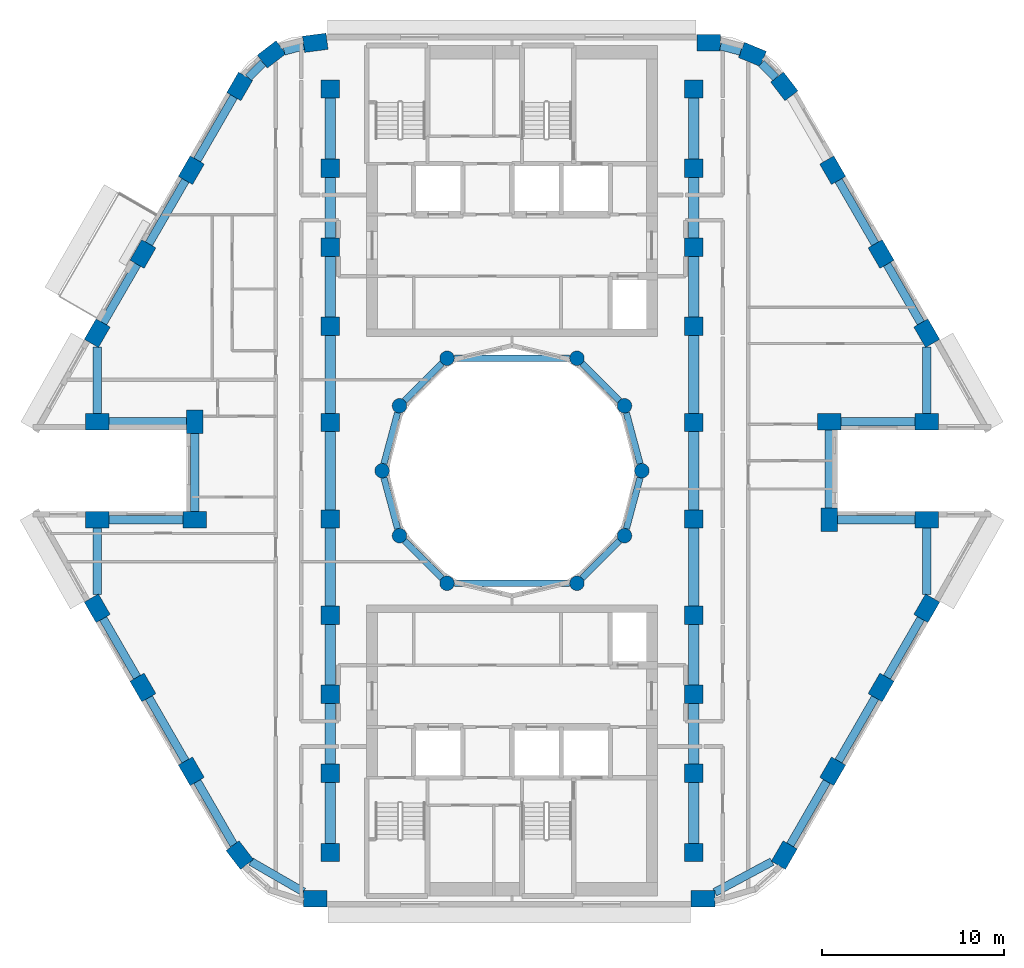
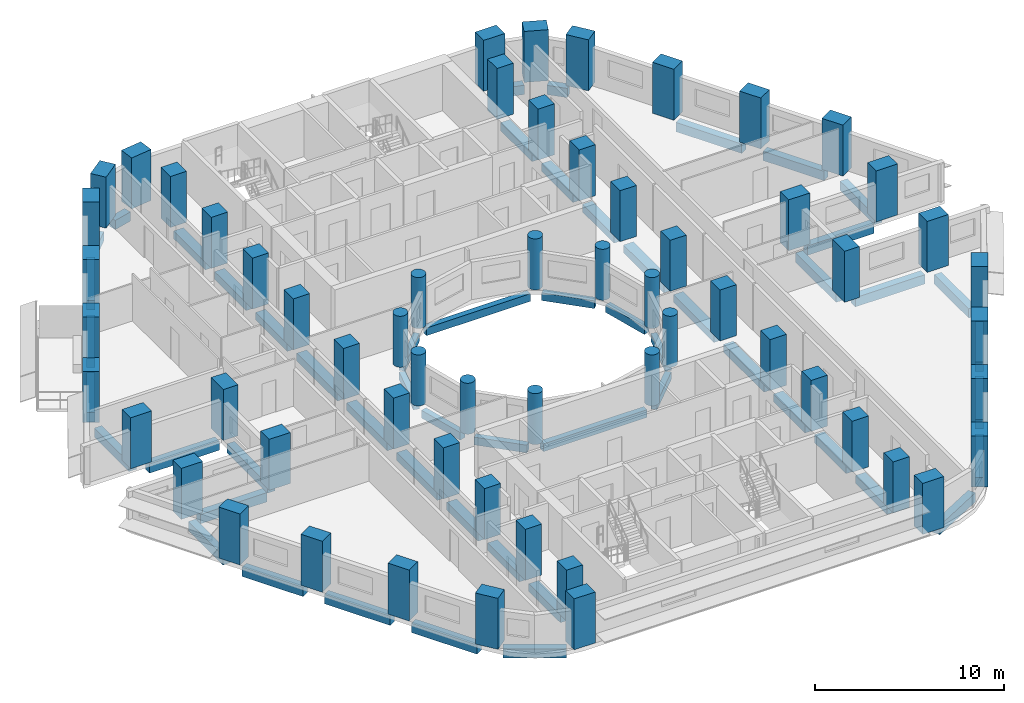
# One storey, part 1 of 13: 60 columns, 55 beams.
"""IFC4 building model written with IfcOpenShell, lengths in metres."""

import ifcopenshell
import ifcopenshell.guid

model = None  # the IFC model being written
_history = None  # IfcOwnerHistory: only IFC2X3 demands one
_inside = {}  # id of a spatial element -> (the spatial element, [elements in it])
_under = {}  # id of a project, library or spatial element -> (it, [spatial elements below it])
_declared = {}  # id of a project -> (the project, [libraries it declares])
_typed = {}  # id of a type object -> (the type object, [elements of that type])
_made_of = {}  # id of a material, layer set ... -> (it, [elements and type objects made of it])


def new_model(schema):
    """Start an empty IFC model of exactly this schema.

    Asked for "IFC4X3", IfcOpenShell would pick the latest addendum, in which some entities
    have other attributes; the version numbers below select the first issue.
    IFC2X3 requires an IfcOwnerHistory on every rooted entity: one is made here for all.
    """
    global model, _history
    if schema == "IFC4X3":
        model = ifcopenshell.file(schema_version=(4, 3, 0, 0))
    else:
        model = ifcopenshell.file(schema=schema)
    _inside.clear()
    _under.clear()
    _declared.clear()
    _typed.clear()
    _made_of.clear()
    _history = None
    if model.schema == "IFC2X3":
        org = make("IfcOrganization", Name="unknown")
        user = make(
            "IfcPersonAndOrganization",
            ThePerson=make("IfcPerson", FamilyName="unknown"),
            TheOrganization=org,
        )
        app = make(
            "IfcApplication",
            ApplicationDeveloper=org,
            Version="unknown",
            ApplicationFullName="unknown",
            ApplicationIdentifier="unknown",
        )
        _history = make(
            "IfcOwnerHistory",
            OwningUser=user,
            OwningApplication=app,
            ChangeAction="ADDED",
            CreationDate=0,
        )
    return model


def make(cls, **values):
    """One entity of the class cls with the attributes given. An attribute that is None is left unset."""
    return model.create_entity(
        cls, **{name: value for name, value in values.items() if value is not None}
    )


def rooted(cls, **values):
    """An entity with a GlobalId (a new one), such as an element, a storey or a relation."""
    return make(cls, GlobalId=ifcopenshell.guid.new(), OwnerHistory=_history, **values)


def si_unit(unit_type, name, prefix=None):
    """IfcSIUnit, for example si_unit("LENGTHUNIT", "METRE", prefix="MILLI")."""
    return make("IfcSIUnit", UnitType=unit_type, Prefix=prefix, Name=name)


def assignment(units):
    """IfcUnitAssignment: the units of a project."""
    return None if units is None else make("IfcUnitAssignment", Units=units)


def point(xyz):
    """IfcCartesianPoint."""
    return None if xyz is None else make("IfcCartesianPoint", Coordinates=xyz)


def direction(xyz):
    """IfcDirection."""
    return None if xyz is None else make("IfcDirection", DirectionRatios=xyz)


def frame(location, z_axis=None, x_axis=None):
    """IfcAxis2Placement3D, a coordinate frame: its origin and axes. An axis left out is left unset."""
    return make(
        "IfcAxis2Placement3D",
        Location=point(location),
        Axis=direction(z_axis),
        RefDirection=direction(x_axis),
    )


def frame_2d(location, x_axis=None):
    """IfcAxis2Placement2D, a coordinate frame in the plane: its origin and x axis."""
    return make(
        "IfcAxis2Placement2D", Location=point(location), RefDirection=direction(x_axis)
    )


def origin():
    """The frame at (0, 0, 0) with its axes left unset."""
    return frame((0.0, 0.0, 0.0))


def origin_2d():
    """The frame at (0, 0) in the plane with its x axis left unset."""
    return frame_2d((0.0, 0.0))


def place(relative_to, where):
    """IfcLocalPlacement: puts the frame where relative to a parent placement (None: the world)."""
    return make(
        "IfcLocalPlacement", PlacementRelTo=relative_to, RelativePlacement=where
    )


def context(
    kind, dimensions, precision=None, world=None, true_north=None, identifier=None
):
    """IfcGeometricRepresentationContext, for example the 3D "Model" context."""
    return make(
        "IfcGeometricRepresentationContext",
        ContextIdentifier=identifier,
        ContextType=kind,
        CoordinateSpaceDimension=dimensions,
        Precision=precision,
        WorldCoordinateSystem=world,
        TrueNorth=true_north,
    )


def subcontext(parent, identifier, kind, view, scale=None):
    """IfcGeometricRepresentationSubContext, for example "Body" below "Model"."""
    return make(
        "IfcGeometricRepresentationSubContext",
        ContextIdentifier=identifier,
        ContextType=kind,
        ParentContext=parent,
        TargetScale=scale,
        TargetView=view,
    )


def project(units=None, contexts=None):
    """IfcProject with its units and contexts."""
    return rooted(
        "IfcProject",
        Name="project",
        RepresentationContexts=contexts,
        UnitsInContext=assignment(units),
    )


def spatial(cls, under=None, at=None, **own):
    """A site, building, storey or space (cls), placed at a placement, below another one or the project."""
    s = rooted(cls, ObjectPlacement=at, **own)
    if under is not None:
        _under.setdefault(under.id(), (under, []))[1].append(s)
    return s


def profile(cls, at=None, kind="AREA", **sizes):
    """A parametric profile (cls). Its sizes go by their IFC names, for example OverallWidth=200.0."""
    return make(cls, ProfileType=kind, Position=at, **sizes)


def rectangle(**sizes):
    """IfcRectangleProfileDef."""
    return profile("IfcRectangleProfileDef", **sizes)


def circle(**sizes):
    """IfcCircleProfileDef."""
    return profile("IfcCircleProfileDef", **sizes)


def extrude(swept, where, along, depth):
    """IfcExtrudedAreaSolid: the profile swept, set in the frame where, extruded along a direction by depth."""
    return make(
        "IfcExtrudedAreaSolid",
        SweptArea=swept,
        Position=where,
        ExtrudedDirection=direction(along),
        Depth=depth,
    )


def shape(context_of_items, identifier, shape_type, items):
    """IfcShapeRepresentation: the items that make up one representation, for example the "Body"."""
    return make(
        "IfcShapeRepresentation",
        ContextOfItems=context_of_items,
        RepresentationIdentifier=identifier,
        RepresentationType=shape_type,
        Items=items,
    )


def material(Name=None, Category=None):
    """IfcMaterial."""
    return make("IfcMaterial", Name=Name, Category=Category)


def material_profile(
    of_material, cross_section, Name=None, Category=None, Priority=None
):
    """IfcMaterialProfile: a cross section and its material."""
    return make(
        "IfcMaterialProfile",
        Name=Name,
        Material=of_material,
        Profile=cross_section,
        Priority=Priority,
        Category=Category,
    )


def profile_set(profiles, Name=None, composite=None):
    """IfcMaterialProfileSet."""
    return make(
        "IfcMaterialProfileSet",
        Name=Name,
        MaterialProfiles=profiles,
        CompositeProfile=composite,
    )


def made_of(thing, what):
    """Note that an element or type object is made of a material, layer set ...; save() writes the relation."""
    if what is not None:
        _made_of.setdefault(what.id(), (what, []))[1].append(thing)
    return thing


def type_object(cls, material=None, **own):
    """A type object (cls), such as IfcWallType, which elements share."""
    return made_of(rooted(cls, **own), material)


def element(
    cls,
    number,
    at=None,
    inside=None,
    cuts=None,
    type_object=None,
    material=None,
    context=None,
    identifier="Body",
    shape_type=None,
    held_by="IfcProductDefinitionShape",
    body=None,
    shapes=None,
    **own,
):
    """One element of the class cls, such as IfcWall. Its Tag is "e" and its number.

    at: its placement. inside: the storey or other place that contains it. cuts: it is an
    opening in that element (IfcRelVoidsElement). A single representation is given by context,
    identifier, shape_type and body (its items); several are given by shapes. held_by: the class
    of the entity that holds the representations. save() writes the other relations.
    """
    e = rooted(cls, Tag="e%d" % number, ObjectPlacement=at, **own)
    if body is not None:
        shapes = [shape(context, identifier, shape_type, body)]
    if shapes is not None:
        e.Representation = make(held_by, Representations=shapes)
    if inside is not None:
        _inside.setdefault(inside.id(), (inside, []))[1].append(e)
    if cuts is not None:
        rooted(
            "IfcRelVoidsElement", RelatingBuildingElement=cuts, RelatedOpeningElement=e
        )
    if type_object is not None:
        _typed.setdefault(type_object.id(), (type_object, []))[1].append(e)
    return made_of(e, material)


def aggregate(whole, parts):
    """IfcRelAggregates: a whole, such as a stair, and the parts it consists of."""
    return rooted("IfcRelAggregates", RelatingObject=whole, RelatedObjects=parts)


def save(model, path):
    """Write the relations noted so far, then the file.

    IfcRelAggregates (storeys below a building ...), IfcRelContainedInSpatialStructure (elements
    in a storey), IfcRelDefinesByType, IfcRelAssociatesMaterial and IfcRelDeclares: one each for
    every whole, place, type object, material and project.
    """
    for whole, parts in _under.values():
        aggregate(whole, parts)
    for where, things in _inside.values():
        rooted(
            "IfcRelContainedInSpatialStructure",
            RelatedElements=things,
            RelatingStructure=where,
        )
    for kind, things in _typed.values():
        rooted("IfcRelDefinesByType", RelatedObjects=things, RelatingType=kind)
    for what, things in _made_of.values():
        rooted("IfcRelAssociatesMaterial", RelatedObjects=things, RelatingMaterial=what)
    for by, libraries in _declared.values():
        rooted("IfcRelDeclares", RelatingContext=by, RelatedDefinitions=libraries)
    model.write(path)


model = new_model("IFC4")

# Units and contexts
model_context = context("Model", 3, precision=1e-05, world=origin(), true_north=direction((0.0, 1.0)))
body_context = subcontext(model_context, "Body", "Model", "MODEL_VIEW")
ifc_project = project(units=[si_unit("LENGTHUNIT", "METRE"), si_unit("AREAUNIT", "SQUARE_METRE"), si_unit("VOLUMEUNIT", "CUBIC_METRE"), si_unit("PLANEANGLEUNIT", "RADIAN"), si_unit("MASSUNIT", "GRAM", prefix="KILO")], contexts=[model_context])

# Site, building, storey
site_placement = place(None, origin())
site = spatial("IfcSite", under=ifc_project, at=site_placement, CompositionType="ELEMENT")
building_placement = place(site_placement, origin())
building = spatial("IfcBuilding", under=site, at=building_placement, Name="Nakaniwa Court", CompositionType="ELEMENT")
storey_placement = place(building_placement, frame((0.0, 0.0, 156.89990234375)))
storey = spatial("IfcBuildingStorey", under=building, at=storey_placement, Name="L41", CompositionType="ELEMENT", Elevation=156.89990234375)

# Columns
ifc_material = material(Name="Concrete C80/100", Category="concrete")
ifc_material_profile_1 = material_profile(ifc_material, rectangle(XDim=1.0, YDim=1.0, at=origin_2d()), Name="Concrete C80/100 RC 1000x1000 spine column")
ifc_profile_set_1 = profile_set([ifc_material_profile_1], Name="Concrete C80/100")
column_type_1 = type_object("IfcColumnType", Name="Concrete C80/100 RC 1000x1000 spine column", PredefinedType="COLUMN", material=ifc_profile_set_1)
for number, where, z_axis, x_axis, name in (
    (1, (90.0, 59.0, 0.0), (0.0, 0.0, 1.0), (0.0, 1.0, 0.0), "COLUMN CS-01"),
    (2, (90.0, 63.35009765625, 0.0), (0.0, 0.0, 1.0), (0.0, 1.0, 0.0), "COLUMN CS-02"),
    (3, (90.0, 67.699951171875, 0.0), (0.0, 0.0, 1.0), (0.0, 1.0, 0.0), "COLUMN CS-03"),
    (4, (90.0, 72.050048828125, 0.0), (0.0, 0.0, 1.0), (0.0, 1.0, 0.0), "COLUMN CS-04"),
    (5, (90.0, 77.35009765625, 0.0), (0.0, 0.0, 1.0), (0.0, 1.0, 0.0), "COLUMN CS-05"),
    (6, (90.0, 82.64990234375, 0.0), (0.0, 0.0, 1.0), (0.0, 1.0, 0.0), "COLUMN CS-06"),
    (7, (90.0, 87.949951171875, 0.0), (0.0, 0.0, 1.0), (0.0, 1.0, 0.0), "COLUMN CS-07"),
    (8, (90.0, 92.300048828125, 0.0), (0.0, 0.0, 1.0), (0.0, 1.0, 0.0), "COLUMN CS-08"),
    (9, (90.0, 96.64990234375, 0.0), (0.0, 0.0, 1.0), (0.0, 1.0, 0.0), "COLUMN CS-09"),
    (10, (90.0, 101.0, 0.0), (0.0, 0.0, 1.0), (0.0, 1.0, 0.0), "COLUMN CS-10"),
    (11, (70.0, 101.0, 0.0), (0.0, 0.0, 1.0), (0.0, -1.0, 0.0), "COLUMN CS-11"),
    (12, (70.0, 96.64990234375, 0.0), (0.0, 0.0, 1.0), (0.0, -1.0, 0.0), "COLUMN CS-12"),
    (13, (70.0, 92.300048828125, 0.0), (0.0, 0.0, 1.0), (0.0, -1.0, 0.0), "COLUMN CS-13"),
    (14, (70.0, 87.949951171875, 0.0), (0.0, 0.0, 1.0), (0.0, -1.0, 0.0), "COLUMN CS-14"),
    (15, (70.0, 82.64990234375, 0.0), (0.0, 0.0, 1.0), (0.0, -1.0, 0.0), "COLUMN CS-15"),
    (16, (70.0, 77.35009765625, 0.0), (0.0, 0.0, 1.0), (0.0, -1.0, 0.0), "COLUMN CS-16"),
    (17, (70.0, 72.050048828125, 0.0), (0.0, 0.0, 1.0), (0.0, -1.0, 0.0), "COLUMN CS-17"),
    (18, (70.0, 67.699951171875, 0.0), (0.0, 0.0, 1.0), (0.0, -1.0, 0.0), "COLUMN CS-18"),
    (19, (70.0, 63.35009765625, 0.0), (0.0, 0.0, 1.0), (0.0, -1.0, 0.0), "COLUMN CS-19"),
    (20, (70.0, 59.0, 0.0), (0.0, 0.0, 1.0), (0.0, -1.0, 0.0), "COLUMN CS-20"),
):
    element("IfcColumn", number, at=place(storey_placement, frame(where, z_axis=z_axis, x_axis=x_axis)), inside=storey, type_object=column_type_1, Name=name, PredefinedType="COLUMN", context=body_context, shape_type="SweptSolid", body=[
        extrude(rectangle(XDim=1.0, YDim=1.0, at=origin_2d()), origin(), (0.0, 0.0, 1.0), 3.300048828125),
    ])
ifc_material_profile_2 = material_profile(ifc_material, rectangle(XDim=1.300048828125, YDim=0.89990234375, at=origin_2d()), Name="Concrete C80/100 RC 1300x900 perimeter column")
ifc_profile_set_2 = profile_set([ifc_material_profile_2], Name="Concrete C80/100")
column_type_2 = type_object("IfcColumnType", Name="Concrete C80/100 RC 1300x900 perimeter column", PredefinedType="COLUMN", material=ifc_profile_set_2)
for number, where, z_axis, x_axis, name in (
    (21, (69.17529296875, 103.550048828125, 0.0), (0.0, 0.0, 1.0), (-0.991442583111, -0.130543496177, 0.0), "COLUMN CO-01"),
    (22, (66.772705078125, 102.91015625, 0.0), (0.0, 0.0, 1.0), (-0.793363965062, -0.608747582288, 0.0), "COLUMN CO-02"),
    (23, (65.017578125, 101.1494140625, 0.0), (0.0, 0.0, 1.0), (-0.5, -0.866025403784, 0.0), "COLUMN CO-03"),
    (24, (62.3544921875, 96.537109375, 0.0), (0.0, 0.0, 1.0), (-0.5, -0.866025403784, 0.0), "COLUMN CO-04"),
    (25, (59.691650390625, 91.9248046875, 0.0), (0.0, 0.0, 1.0), (-0.5, -0.866025403784, 0.0), "COLUMN CO-05"),
    (26, (57.177001953125, 87.569580078125, 0.0), (0.0, 0.0, 1.0), (-0.5, -0.866025403784, 0.0), "COLUMN CO-06"),
    (27, (57.177001953125, 82.699951171875, 0.0), (0.0, 0.0, 1.0), (1.0, 0.0, 0.0), "COLUMN CO-08"),
    (28, (62.54150390625, 82.699951171875, 0.0), (0.0, 0.0, 1.0), (0.0, -1.0, 0.0), "COLUMN CO-09"),
    (29, (62.54150390625, 77.300048828125, 0.0), (0.0, 0.0, 1.0), (-1.0, 0.0, 0.0), "COLUMN CO-10"),
    (30, (57.177001953125, 77.300048828125, 0.0), (0.0, 0.0, 1.0), (-1.0, 0.0, 0.0), "COLUMN CO-11"),
    (31, (57.177001953125, 72.430419921875, 0.0), (0.0, 0.0, 1.0), (0.5, -0.866025403784, 0.0), "COLUMN CO-13"),
    (32, (59.691650390625, 68.0751953125, 0.0), (0.0, 0.0, 1.0), (0.5, -0.866025403784, 0.0), "COLUMN CO-14"),
    (33, (62.3544921875, 63.462890625, 0.0), (0.0, 0.0, 1.0), (0.5, -0.866025403784, 0.0), "COLUMN CO-15"),
    (34, (65.017578125, 58.8505859375, 0.0), (0.0, 0.0, 1.0), (0.608761429009, -0.793353340291, 0.0), "COLUMN CO-16"),
    (35, (69.17529296875, 56.449951171875, 0.0), (0.0, 0.0, 1.0), (1.0, 0.0, 0.0), "COLUMN CO-17"),
    (36, (90.507080078125, 56.449951171875, 0.0), (0.0, 0.0, 1.0), (1.0, 0.0, 0.0), "COLUMN CO-21"),
    (37, (94.982421875, 58.8505859375, 0.0), (0.0, 0.0, 1.0), (0.5, 0.866025403784, 0.0), "COLUMN CO-22"),
    (38, (97.6455078125, 63.462890625, 0.0), (0.0, 0.0, 1.0), (0.5, 0.866025403784, 0.0), "COLUMN CO-23"),
    (39, (100.308349609375, 68.0751953125, 0.0), (0.0, 0.0, 1.0), (0.5, 0.866025403784, 0.0), "COLUMN CO-24"),
    (40, (102.822998046875, 72.430419921875, 0.0), (0.0, 0.0, 1.0), (0.5, 0.866025403784, 0.0), "COLUMN CO-25"),
    (41, (102.822998046875, 77.300048828125, 0.0), (0.0, 0.0, 1.0), (-1.0, 0.0, 0.0), "COLUMN CO-27"),
    (42, (97.45849609375, 77.300048828125, 0.0), (0.0, 0.0, 1.0), (0.0, 1.0, 0.0), "COLUMN CO-28"),
    (43, (97.45849609375, 82.699951171875, 0.0), (0.0, 0.0, 1.0), (1.0, 0.0, 0.0), "COLUMN CO-29"),
    (44, (102.822998046875, 82.699951171875, 0.0), (0.0, 0.0, 1.0), (1.0, 0.0, 0.0), "COLUMN CO-30"),
    (45, (102.822998046875, 87.569580078125, 0.0), (0.0, 0.0, 1.0), (-0.5, 0.866025403784, 0.0), "COLUMN CO-32"),
    (46, (100.308349609375, 91.9248046875, 0.0), (0.0, 0.0, 1.0), (-0.5, 0.866025403784, 0.0), "COLUMN CO-33"),
    (47, (97.6455078125, 96.537109375, 0.0), (0.0, 0.0, 1.0), (-0.5, 0.866025403784, 0.0), "COLUMN CO-34"),
    (48, (94.982421875, 101.1494140625, 0.0), (0.0, 0.0, 1.0), (-0.608761429009, 0.793353340291, 0.0), "COLUMN CO-35"),
    (49, (93.227294921875, 102.91015625, 0.0), (0.0, 0.0, 1.0), (-0.923879532511, 0.382683432365, 0.0), "COLUMN CO-36"),
    (50, (90.82470703125, 103.550048828125, 0.0), (0.0, 0.0, 1.0), (-1.0, 0.0, 0.0), "COLUMN CO-37"),
):
    element("IfcColumn", number, at=place(storey_placement, frame(where, z_axis=z_axis, x_axis=x_axis)), inside=storey, type_object=column_type_2, Name=name, PredefinedType="COLUMN", context=body_context, shape_type="SweptSolid", body=[
        extrude(rectangle(XDim=1.300048828125, YDim=0.89990234375, at=origin_2d()), origin(), (0.0, 0.0, 1.0), 3.300048828125),
    ])
ifc_material_profile_3 = material_profile(ifc_material, circle(Radius=0.39990234375, at=origin_2d()), Name="Concrete C80/100 RC D800 inner ring column")
ifc_profile_set_3 = profile_set([ifc_material_profile_3], Name="Concrete C80/100")
column_type_3 = type_object("IfcColumnType", Name="Concrete C80/100 RC D800 inner ring column", PredefinedType="COLUMN", material=ifc_profile_set_3)
for number, where, z_axis, x_axis, name in (
    (51, (87.14990234375, 80.0, 0.0), (0.0, 0.0, 1.0), (0.0, 1.0, 0.0), "COLUMN CI-01"),
    (52, (86.192138671875, 83.574951171875, 0.0), (0.0, 0.0, 1.0), (-0.5, 0.866025403784, 0.0), "COLUMN CI-02"),
    (53, (83.574951171875, 86.192138671875, 0.0), (0.0, 0.0, 1.0), (-0.866025403784, 0.5, 0.0), "COLUMN CI-03"),
    (54, (76.425048828125, 86.192138671875, 0.0), (0.0, 0.0, 1.0), (-0.866025403784, -0.5, 0.0), "COLUMN CI-05"),
    (55, (73.807861328125, 83.574951171875, 0.0), (0.0, 0.0, 1.0), (-0.5, -0.866025403784, 0.0), "COLUMN CI-06"),
    (56, (72.85009765625, 80.0, 0.0), (0.0, 0.0, 1.0), (0.0, -1.0, 0.0), "COLUMN CI-07"),
    (57, (73.807861328125, 76.425048828125, 0.0), (0.0, 0.0, 1.0), (0.5, -0.866025403784, 0.0), "COLUMN CI-08"),
    (58, (76.425048828125, 73.807861328125, 0.0), (0.0, 0.0, 1.0), (0.866025403784, -0.5, 0.0), "COLUMN CI-09"),
    (59, (83.574951171875, 73.807861328125, 0.0), (0.0, 0.0, 1.0), (0.866025403784, 0.5, 0.0), "COLUMN CI-11"),
    (60, (86.192138671875, 76.425048828125, 0.0), (0.0, 0.0, 1.0), (0.5, 0.866025403784, 0.0), "COLUMN CI-12"),
):
    element("IfcColumn", number, at=place(storey_placement, frame(where, z_axis=z_axis, x_axis=x_axis)), inside=storey, type_object=column_type_3, Name=name, PredefinedType="COLUMN", context=body_context, shape_type="SweptSolid", body=[
        extrude(circle(Radius=0.39990234375, at=origin_2d()), origin(), (0.0, 0.0, 1.0), 3.300048828125),
    ])

# Beams
ifc_material_profile_4 = material_profile(ifc_material, rectangle(XDim=0.35009765625, YDim=0.5, at=origin_2d()), Name="Concrete C80/100 RC 350x500 ring beam")
ifc_profile_set_4 = profile_set([ifc_material_profile_4], Name="Concrete C80/100")
beam_type_1 = type_object("IfcBeamType", Name="Concrete C80/100 RC 350x500 ring beam", PredefinedType="BEAM", material=ifc_profile_set_4)
beam_1_placement = place(storey_placement, frame((87.04638671875, 80.386474609375, -0.52490234375), z_axis=(-0.258778150207, 0.965936783115, 0.0), x_axis=(-0.965936783115, -0.258778150207, 0.0)))
element("IfcBeam", 61, at=beam_1_placement, inside=storey, type_object=beam_type_1, Name="RING BEAM", PredefinedType="BEAM", context=body_context, shape_type="SweptSolid", body=[
    extrude(rectangle(XDim=0.35009765625, YDim=0.5, at=origin_2d()), origin(), (0.0, 0.0, 1.0), 2.901123046875),
])
beam_2_placement = place(storey_placement, frame((85.9091796875, 83.85791015625, -0.52490234375), z_axis=(-0.707106781187, 0.707106781187, 0.0), x_axis=(-0.707106781187, -0.707106781187, 0.0)))
element("IfcBeam", 62, at=beam_2_placement, inside=storey, type_object=beam_type_1, Name="RING BEAM", PredefinedType="BEAM", context=body_context, shape_type="SweptSolid", body=[
    extrude(rectangle(XDim=0.35009765625, YDim=0.5, at=origin_2d()), origin(), (0.0, 0.0, 1.0), 2.90087890625),
])
beam_3_placement = place(storey_placement, frame((83.175048828125, 86.192138671875, -0.52490234375), z_axis=(-1.0, 0.0, 0.0), x_axis=(0.0, -1.0, 0.0)))
element("IfcBeam", 63, at=beam_3_placement, inside=storey, type_object=beam_type_1, Name="RING BEAM", PredefinedType="BEAM", context=body_context, shape_type="SweptSolid", body=[
    extrude(rectangle(XDim=0.35009765625, YDim=0.5, at=origin_2d()), origin(), (0.0, 0.0, 1.0), 6.35009765625),
])
beam_4_placement = place(storey_placement, frame((76.14208984375, 85.9091796875, -0.52490234375), z_axis=(-0.707106781187, -0.707106781187, 0.0), x_axis=(0.707106781187, -0.707106781187, 0.0)))
element("IfcBeam", 64, at=beam_4_placement, inside=storey, type_object=beam_type_1, Name="RING BEAM", PredefinedType="BEAM", context=body_context, shape_type="SweptSolid", body=[
    extrude(rectangle(XDim=0.35009765625, YDim=0.5, at=origin_2d()), origin(), (0.0, 0.0, 1.0), 2.90087890625),
])
for number, where, z_axis, x_axis, name in (
    (65, (73.704345703125, 83.188720703125, -0.52490234375), (-0.258778150207, -0.965936783115, 0.0), (0.965936783115, -0.258778150207, 0.0), "RING BEAM"),
    (66, (72.95361328125, 79.613525390625, -0.52490234375), (0.258778150207, -0.965936783115, 0.0), (0.965936783115, 0.258778150207, 0.0), "RING BEAM"),
):
    element("IfcBeam", number, at=place(storey_placement, frame(where, z_axis=z_axis, x_axis=x_axis)), inside=storey, type_object=beam_type_1, Name=name, PredefinedType="BEAM", context=body_context, shape_type="SweptSolid", body=[
        extrude(rectangle(XDim=0.35009765625, YDim=0.5, at=origin_2d()), origin(), (0.0, 0.0, 1.0), 2.901123046875),
    ])
beam_5_placement = place(storey_placement, frame((74.0908203125, 76.14208984375, -0.52490234375), z_axis=(0.707106781187, -0.707106781187, 0.0), x_axis=(0.707106781187, 0.707106781187, 0.0)))
element("IfcBeam", 67, at=beam_5_placement, inside=storey, type_object=beam_type_1, Name="RING BEAM", PredefinedType="BEAM", context=body_context, shape_type="SweptSolid", body=[
    extrude(rectangle(XDim=0.35009765625, YDim=0.5, at=origin_2d()), origin(), (0.0, 0.0, 1.0), 2.90087890625),
])
beam_6_placement = place(storey_placement, frame((76.824951171875, 73.807861328125, -0.52490234375), z_axis=(1.0, 0.0, 0.0), x_axis=(0.0, 1.0, 0.0)))
element("IfcBeam", 68, at=beam_6_placement, inside=storey, type_object=beam_type_1, Name="RING BEAM", PredefinedType="BEAM", context=body_context, shape_type="SweptSolid", body=[
    extrude(rectangle(XDim=0.35009765625, YDim=0.5, at=origin_2d()), origin(), (0.0, 0.0, 1.0), 6.35009765625),
])
beam_7_placement = place(storey_placement, frame((83.85791015625, 74.0908203125, -0.52490234375), z_axis=(0.707106781187, 0.707106781187, 0.0), x_axis=(-0.707106781187, 0.707106781187, 0.0)))
element("IfcBeam", 69, at=beam_7_placement, inside=storey, type_object=beam_type_1, Name="RING BEAM", PredefinedType="BEAM", context=body_context, shape_type="SweptSolid", body=[
    extrude(rectangle(XDim=0.35009765625, YDim=0.5, at=origin_2d()), origin(), (0.0, 0.0, 1.0), 2.90087890625),
])
beam_8_placement = place(storey_placement, frame((86.295654296875, 76.811279296875, -0.52490234375), z_axis=(0.258778150207, 0.965936783115, 0.0), x_axis=(-0.965936783115, 0.258778150207, 0.0)))
element("IfcBeam", 70, at=beam_8_placement, inside=storey, type_object=beam_type_1, Name="RING BEAM", PredefinedType="BEAM", context=body_context, shape_type="SweptSolid", body=[
    extrude(rectangle(XDim=0.35009765625, YDim=0.5, at=origin_2d()), origin(), (0.0, 0.0, 1.0), 2.901123046875),
])
ifc_material_profile_5 = material_profile(ifc_material, rectangle(XDim=0.449951171875, YDim=0.60009765625, at=origin_2d()), Name="Concrete C80/100 RC 450x600 spandrel beam")
ifc_profile_set_5 = profile_set([ifc_material_profile_5], Name="Concrete C80/100")
beam_type_2 = type_object("IfcBeamType", Name="Concrete C80/100 RC 450x600 spandrel beam", PredefinedType="BEAM", material=ifc_profile_set_5)
beam_9_placement = place(storey_placement, frame((68.5419921875, 103.38134765625, -0.574951171875), z_axis=(-0.966321172043, -0.257339061284, 0.0), x_axis=(0.257339061284, -0.966321172043, 0.0)))
element("IfcBeam", 71, at=beam_9_placement, inside=storey, type_object=beam_type_2, Name="SPANDREL BEAM", PredefinedType="BEAM", context=body_context, shape_type="SweptSolid", body=[
    extrude(rectangle(XDim=0.449951171875, YDim=0.60009765625, at=origin_2d()), origin(), (0.0, 0.0, 1.0), 1.126953125),
])
beam_10_placement = place(storey_placement, frame((66.309814453125, 102.44580078125, -0.574951171875), z_axis=(-0.706051557188, -0.708160432807, 0.0), x_axis=(0.708160432807, -0.706051557188, 0.0)))
element("IfcBeam", 72, at=beam_10_placement, inside=storey, type_object=beam_type_2, Name="SPANDREL BEAM", PredefinedType="BEAM", context=body_context, shape_type="SweptSolid", body=[
    extrude(rectangle(XDim=0.449951171875, YDim=0.60009765625, at=origin_2d()), origin(), (0.0, 0.0, 1.0), 1.15771484375),
])
for number, where, z_axis, x_axis, name in (
    (73, (64.6923828125, 100.586669921875, -0.574951171875), (-0.499993669216, -0.866029058833, 0.0), (0.866029058833, -0.499993669216, 0.0), "SPANDREL BEAM"),
    (74, (62.029541015625, 95.97412109375, -0.574951171875), (-0.499993669216, -0.866029058833, 0.0), (0.866029058833, -0.499993669216, 0.0), "SPANDREL BEAM"),
):
    element("IfcBeam", number, at=place(storey_placement, frame(where, z_axis=z_axis, x_axis=x_axis)), inside=storey, type_object=beam_type_2, Name=name, PredefinedType="BEAM", context=body_context, shape_type="SweptSolid", body=[
        extrude(rectangle(XDim=0.449951171875, YDim=0.60009765625, at=origin_2d()), origin(), (0.0, 0.0, 1.0), 4.02587890625),
    ])
beam_11_placement = place(storey_placement, frame((59.36669921875, 91.36181640625, -0.574951171875), z_axis=(-0.50001905207, -0.866014403787, 0.0), x_axis=(0.866014403787, -0.50001905207, 0.0)))
element("IfcBeam", 75, at=beam_11_placement, inside=storey, type_object=beam_type_2, Name="SPANDREL BEAM", PredefinedType="BEAM", context=body_context, shape_type="SweptSolid", body=[
    extrude(rectangle(XDim=0.449951171875, YDim=0.60009765625, at=origin_2d()), origin(), (0.0, 0.0, 1.0), 3.728759765625),
])
beam_12_placement = place(storey_placement, frame((57.177001953125, 86.819091796875, -0.574951171875), z_axis=(0.0, -1.0, 0.0), x_axis=(1.0, 0.0, 0.0)))
element("IfcBeam", 76, at=beam_12_placement, inside=storey, type_object=beam_type_2, Name="SPANDREL BEAM", PredefinedType="BEAM", context=body_context, shape_type="SweptSolid", body=[
    extrude(rectangle(XDim=0.449951171875, YDim=0.60009765625, at=origin_2d()), origin(), (0.0, 0.0, 1.0), 3.669189453125),
])
beam_13_placement = place(storey_placement, frame((57.8271484375, 82.699951171875, -0.574951171875), z_axis=(1.0, 0.0, 0.0), x_axis=(0.0, 1.0, 0.0)))
element("IfcBeam", 77, at=beam_13_placement, inside=storey, type_object=beam_type_2, Name="SPANDREL BEAM", PredefinedType="BEAM", context=body_context, shape_type="SweptSolid", body=[
    extrude(rectangle(XDim=0.449951171875, YDim=0.60009765625, at=origin_2d()), origin(), (0.0, 0.0, 1.0), 4.264404296875),
])
beam_14_placement = place(storey_placement, frame((62.54150390625, 82.050048828125, -0.574951171875), z_axis=(0.0, -1.0, 0.0), x_axis=(1.0, 0.0, 0.0)))
element("IfcBeam", 78, at=beam_14_placement, inside=storey, type_object=beam_type_2, Name="SPANDREL BEAM", PredefinedType="BEAM", context=body_context, shape_type="SweptSolid", body=[
    extrude(rectangle(XDim=0.449951171875, YDim=0.60009765625, at=origin_2d()), origin(), (0.0, 0.0, 1.0), 4.300048828125),
])
beam_15_placement = place(storey_placement, frame((61.8916015625, 77.300048828125, -0.574951171875), z_axis=(-1.0, 0.0, 0.0), x_axis=(0.0, -1.0, 0.0)))
element("IfcBeam", 79, at=beam_15_placement, inside=storey, type_object=beam_type_2, Name="SPANDREL BEAM", PredefinedType="BEAM", context=body_context, shape_type="SweptSolid", body=[
    extrude(rectangle(XDim=0.449951171875, YDim=0.60009765625, at=origin_2d()), origin(), (0.0, 0.0, 1.0), 4.064453125),
])
beam_16_placement = place(storey_placement, frame((57.177001953125, 76.85009765625, -0.574951171875), z_axis=(0.0, -1.0, 0.0), x_axis=(1.0, 0.0, 0.0)))
element("IfcBeam", 80, at=beam_16_placement, inside=storey, type_object=beam_type_2, Name="SPANDREL BEAM", PredefinedType="BEAM", context=body_context, shape_type="SweptSolid", body=[
    extrude(rectangle(XDim=0.449951171875, YDim=0.60009765625, at=origin_2d()), origin(), (0.0, 0.0, 1.0), 3.669189453125),
])
beam_17_placement = place(storey_placement, frame((57.502197265625, 71.867431640625, -0.574951171875), z_axis=(0.50001905207, -0.866014403787, 0.0), x_axis=(0.866014403787, 0.50001905207, 0.0)))
element("IfcBeam", 81, at=beam_17_placement, inside=storey, type_object=beam_type_2, Name="SPANDREL BEAM", PredefinedType="BEAM", context=body_context, shape_type="SweptSolid", body=[
    extrude(rectangle(XDim=0.449951171875, YDim=0.60009765625, at=origin_2d()), origin(), (0.0, 0.0, 1.0), 3.728759765625),
])
beam_18_placement = place(storey_placement, frame((60.0166015625, 67.512451171875, -0.574951171875), z_axis=(0.499993669216, -0.866029058833, 0.0), x_axis=(0.866029058833, 0.499993669216, 0.0)))
element("IfcBeam", 82, at=beam_18_placement, inside=storey, type_object=beam_type_2, Name="SPANDREL BEAM", PredefinedType="BEAM", context=body_context, shape_type="SweptSolid", body=[
    extrude(rectangle(XDim=0.449951171875, YDim=0.60009765625, at=origin_2d()), origin(), (0.0, 0.0, 1.0), 4.02587890625),
])
beam_19_placement = place(storey_placement, frame((62.679443359375, 62.89990234375, -0.574951171875), z_axis=(0.500018573463, -0.866014680125, 0.0), x_axis=(0.866014680125, 0.500018573463, 0.0)))
element("IfcBeam", 83, at=beam_19_placement, inside=storey, type_object=beam_type_2, Name="SPANDREL BEAM", PredefinedType="BEAM", context=body_context, shape_type="SweptSolid", body=[
    extrude(rectangle(XDim=0.449951171875, YDim=0.60009765625, at=origin_2d()), origin(), (0.0, 0.0, 1.0), 4.020263671875),
])
beam_20_placement = place(storey_placement, frame((65.626708984375, 58.498779296875, -0.574951171875), z_axis=(0.866021605644, -0.500006578514, 0.0), x_axis=(0.500006578514, 0.866021605644, 0.0)))
element("IfcBeam", 84, at=beam_20_placement, inside=storey, type_object=beam_type_2, Name="SPANDREL BEAM", PredefinedType="BEAM", context=body_context, shape_type="SweptSolid", body=[
    extrude(rectangle(XDim=0.449951171875, YDim=0.60009765625, at=origin_2d()), origin(), (0.0, 0.0, 1.0), 3.34716796875),
])
beam_21_placement = place(storey_placement, frame((91.156982421875, 56.798583984375, -0.574951171875), z_axis=(0.881239336512, 0.472670320397, 0.0), x_axis=(-0.472670320397, 0.881239336512, 0.0)))
element("IfcBeam", 85, at=beam_21_placement, inside=storey, type_object=beam_type_2, Name="SPANDREL BEAM", PredefinedType="BEAM", context=body_context, shape_type="SweptSolid", body=[
    extrude(rectangle(XDim=0.449951171875, YDim=0.60009765625, at=origin_2d()), origin(), (0.0, 0.0, 1.0), 3.576416015625),
])
for number, where, z_axis, x_axis, name in (
    (86, (95.3076171875, 59.413330078125, -0.574951171875), (0.499993669216, 0.866029058833, 0.0), (-0.866029058833, 0.499993669216, 0.0), "SPANDREL BEAM"),
    (87, (97.970458984375, 64.02587890625, -0.574951171875), (0.499993669216, 0.866029058833, 0.0), (-0.866029058833, 0.499993669216, 0.0), "SPANDREL BEAM"),
):
    element("IfcBeam", number, at=place(storey_placement, frame(where, z_axis=z_axis, x_axis=x_axis)), inside=storey, type_object=beam_type_2, Name=name, PredefinedType="BEAM", context=body_context, shape_type="SweptSolid", body=[
        extrude(rectangle(XDim=0.449951171875, YDim=0.60009765625, at=origin_2d()), origin(), (0.0, 0.0, 1.0), 4.02587890625),
    ])
beam_22_placement = place(storey_placement, frame((100.63330078125, 68.63818359375, -0.574951171875), z_axis=(0.50001905207, 0.866014403787, 0.0), x_axis=(-0.866014403787, 0.50001905207, 0.0)))
element("IfcBeam", 88, at=beam_22_placement, inside=storey, type_object=beam_type_2, Name="SPANDREL BEAM", PredefinedType="BEAM", context=body_context, shape_type="SweptSolid", body=[
    extrude(rectangle(XDim=0.449951171875, YDim=0.60009765625, at=origin_2d()), origin(), (0.0, 0.0, 1.0), 3.728759765625),
])
beam_23_placement = place(storey_placement, frame((102.822998046875, 73.180908203125, -0.574951171875), z_axis=(0.0, 1.0, 0.0), x_axis=(-1.0, 0.0, 0.0)))
element("IfcBeam", 89, at=beam_23_placement, inside=storey, type_object=beam_type_2, Name="SPANDREL BEAM", PredefinedType="BEAM", context=body_context, shape_type="SweptSolid", body=[
    extrude(rectangle(XDim=0.449951171875, YDim=0.60009765625, at=origin_2d()), origin(), (0.0, 0.0, 1.0), 3.669189453125),
])
beam_24_placement = place(storey_placement, frame((102.1728515625, 77.300048828125, -0.574951171875), z_axis=(-1.0, 0.0, 0.0), x_axis=(0.0, -1.0, 0.0)))
element("IfcBeam", 90, at=beam_24_placement, inside=storey, type_object=beam_type_2, Name="SPANDREL BEAM", PredefinedType="BEAM", context=body_context, shape_type="SweptSolid", body=[
    extrude(rectangle(XDim=0.449951171875, YDim=0.60009765625, at=origin_2d()), origin(), (0.0, 0.0, 1.0), 4.264404296875),
])
beam_25_placement = place(storey_placement, frame((97.45849609375, 77.949951171875, -0.574951171875), z_axis=(0.0, 1.0, 0.0), x_axis=(-1.0, 0.0, 0.0)))
element("IfcBeam", 91, at=beam_25_placement, inside=storey, type_object=beam_type_2, Name="SPANDREL BEAM", PredefinedType="BEAM", context=body_context, shape_type="SweptSolid", body=[
    extrude(rectangle(XDim=0.449951171875, YDim=0.60009765625, at=origin_2d()), origin(), (0.0, 0.0, 1.0), 4.300048828125),
])
beam_26_placement = place(storey_placement, frame((98.1083984375, 82.699951171875, -0.574951171875), z_axis=(1.0, 0.0, 0.0), x_axis=(0.0, 1.0, 0.0)))
element("IfcBeam", 92, at=beam_26_placement, inside=storey, type_object=beam_type_2, Name="SPANDREL BEAM", PredefinedType="BEAM", context=body_context, shape_type="SweptSolid", body=[
    extrude(rectangle(XDim=0.449951171875, YDim=0.60009765625, at=origin_2d()), origin(), (0.0, 0.0, 1.0), 4.064453125),
])
beam_27_placement = place(storey_placement, frame((102.822998046875, 83.14990234375, -0.574951171875), z_axis=(0.0, 1.0, 0.0), x_axis=(-1.0, 0.0, 0.0)))
element("IfcBeam", 93, at=beam_27_placement, inside=storey, type_object=beam_type_2, Name="SPANDREL BEAM", PredefinedType="BEAM", context=body_context, shape_type="SweptSolid", body=[
    extrude(rectangle(XDim=0.449951171875, YDim=0.60009765625, at=origin_2d()), origin(), (0.0, 0.0, 1.0), 3.669189453125),
])
beam_28_placement = place(storey_placement, frame((102.497802734375, 88.132568359375, -0.574951171875), z_axis=(-0.50001905207, 0.866014403787, 0.0), x_axis=(-0.866014403787, -0.50001905207, 0.0)))
element("IfcBeam", 94, at=beam_28_placement, inside=storey, type_object=beam_type_2, Name="SPANDREL BEAM", PredefinedType="BEAM", context=body_context, shape_type="SweptSolid", body=[
    extrude(rectangle(XDim=0.449951171875, YDim=0.60009765625, at=origin_2d()), origin(), (0.0, 0.0, 1.0), 3.728759765625),
])
beam_29_placement = place(storey_placement, frame((99.9833984375, 92.487548828125, -0.574951171875), z_axis=(-0.499993669216, 0.866029058833, 0.0), x_axis=(-0.866029058833, -0.499993669216, 0.0)))
element("IfcBeam", 95, at=beam_29_placement, inside=storey, type_object=beam_type_2, Name="SPANDREL BEAM", PredefinedType="BEAM", context=body_context, shape_type="SweptSolid", body=[
    extrude(rectangle(XDim=0.449951171875, YDim=0.60009765625, at=origin_2d()), origin(), (0.0, 0.0, 1.0), 4.02587890625),
])
beam_30_placement = place(storey_placement, frame((94.519775390625, 101.61376953125, -0.574951171875), z_axis=(-0.706022429805, 0.708189472254, 0.0), x_axis=(-0.708189472254, -0.706022429805, 0.0)))
element("IfcBeam", 96, at=beam_30_placement, inside=storey, type_object=beam_type_2, Name="SPANDREL BEAM", PredefinedType="BEAM", context=body_context, shape_type="SweptSolid", body=[
    extrude(rectangle(XDim=0.449951171875, YDim=0.60009765625, at=origin_2d()), origin(), (0.0, 0.0, 1.0), 1.126708984375),
])
beam_31_placement = place(storey_placement, frame((92.593505859375, 103.078857421875, -0.574951171875), z_axis=(-0.966294404875, 0.257439552335, 0.0), x_axis=(-0.257439552335, -0.966294404875, 0.0)))
element("IfcBeam", 97, at=beam_31_placement, inside=storey, type_object=beam_type_2, Name="SPANDREL BEAM", PredefinedType="BEAM", context=body_context, shape_type="SweptSolid", body=[
    extrude(rectangle(XDim=0.449951171875, YDim=0.60009765625, at=origin_2d()), origin(), (0.0, 0.0, 1.0), 1.157958984375),
])
ifc_material_profile_6 = material_profile(ifc_material, rectangle(XDim=0.60009765625, YDim=0.5, at=origin_2d()), Name="Concrete C80/100 RC 600x500 ring beam")
ifc_profile_set_6 = profile_set([ifc_material_profile_6], Name="Concrete C80/100")
beam_type_3 = type_object("IfcBeamType", Name="Concrete C80/100 RC 600x500 ring beam", PredefinedType="BEAM", material=ifc_profile_set_6)
beam_32_placement = place(storey_placement, frame((90.0, 59.5, -0.52490234375), z_axis=(0.0, 1.0, 0.0), x_axis=(-1.0, 0.0, 0.0)))
element("IfcBeam", 98, at=beam_32_placement, inside=storey, type_object=beam_type_3, Name="RING BEAM", PredefinedType="BEAM", context=body_context, shape_type="SweptSolid", body=[
    extrude(rectangle(XDim=0.60009765625, YDim=0.5, at=origin_2d()), origin(), (0.0, 0.0, 1.0), 3.35009765625),
])
beam_33_placement = place(storey_placement, frame((90.0, 63.85009765625, -0.52490234375), z_axis=(0.0, 1.0, 0.0), x_axis=(-1.0, 0.0, 0.0)))
element("IfcBeam", 99, at=beam_33_placement, inside=storey, type_object=beam_type_3, Name="RING BEAM", PredefinedType="BEAM", context=body_context, shape_type="SweptSolid", body=[
    extrude(rectangle(XDim=0.60009765625, YDim=0.5, at=origin_2d()), origin(), (0.0, 0.0, 1.0), 3.349853515625),
])
beam_34_placement = place(storey_placement, frame((90.0, 68.199951171875, -0.52490234375), z_axis=(0.0, 1.0, 0.0), x_axis=(-1.0, 0.0, 0.0)))
element("IfcBeam", 100, at=beam_34_placement, inside=storey, type_object=beam_type_3, Name="RING BEAM", PredefinedType="BEAM", context=body_context, shape_type="SweptSolid", body=[
    extrude(rectangle(XDim=0.60009765625, YDim=0.5, at=origin_2d()), origin(), (0.0, 0.0, 1.0), 3.35009765625),
])
beam_35_placement = place(storey_placement, frame((90.0, 72.550048828125, -0.52490234375), z_axis=(0.0, 1.0, 0.0), x_axis=(-1.0, 0.0, 0.0)))
element("IfcBeam", 101, at=beam_35_placement, inside=storey, type_object=beam_type_3, Name="RING BEAM", PredefinedType="BEAM", context=body_context, shape_type="SweptSolid", body=[
    extrude(rectangle(XDim=0.60009765625, YDim=0.5, at=origin_2d()), origin(), (0.0, 0.0, 1.0), 4.300048828125),
])
beam_36_placement = place(storey_placement, frame((90.0, 77.85009765625, -0.52490234375), z_axis=(0.0, 1.0, 0.0), x_axis=(-1.0, 0.0, 0.0)))
element("IfcBeam", 102, at=beam_36_placement, inside=storey, type_object=beam_type_3, Name="RING BEAM", PredefinedType="BEAM", context=body_context, shape_type="SweptSolid", body=[
    extrude(rectangle(XDim=0.60009765625, YDim=0.5, at=origin_2d()), origin(), (0.0, 0.0, 1.0), 4.2998046875),
])
beam_37_placement = place(storey_placement, frame((90.0, 83.14990234375, -0.52490234375), z_axis=(0.0, 1.0, 0.0), x_axis=(-1.0, 0.0, 0.0)))
element("IfcBeam", 103, at=beam_37_placement, inside=storey, type_object=beam_type_3, Name="RING BEAM", PredefinedType="BEAM", context=body_context, shape_type="SweptSolid", body=[
    extrude(rectangle(XDim=0.60009765625, YDim=0.5, at=origin_2d()), origin(), (0.0, 0.0, 1.0), 4.300048828125),
])
beam_38_placement = place(storey_placement, frame((90.0, 88.449951171875, -0.52490234375), z_axis=(0.0, 1.0, 0.0), x_axis=(-1.0, 0.0, 0.0)))
element("IfcBeam", 104, at=beam_38_placement, inside=storey, type_object=beam_type_3, Name="RING BEAM", PredefinedType="BEAM", context=body_context, shape_type="SweptSolid", body=[
    extrude(rectangle(XDim=0.60009765625, YDim=0.5, at=origin_2d()), origin(), (0.0, 0.0, 1.0), 3.35009765625),
])
beam_39_placement = place(storey_placement, frame((90.0, 92.800048828125, -0.52490234375), z_axis=(0.0, 1.0, 0.0), x_axis=(-1.0, 0.0, 0.0)))
element("IfcBeam", 105, at=beam_39_placement, inside=storey, type_object=beam_type_3, Name="RING BEAM", PredefinedType="BEAM", context=body_context, shape_type="SweptSolid", body=[
    extrude(rectangle(XDim=0.60009765625, YDim=0.5, at=origin_2d()), origin(), (0.0, 0.0, 1.0), 3.349853515625),
])
for number, where, z_axis, x_axis, name in (
    (106, (90.0, 97.14990234375, -0.52490234375), (0.0, 1.0, 0.0), (-1.0, 0.0, 0.0), "RING BEAM"),
    (107, (70.0, 100.5, -0.52490234375), (0.0, -1.0, 0.0), (1.0, 0.0, 0.0), "RING BEAM"),
):
    element("IfcBeam", number, at=place(storey_placement, frame(where, z_axis=z_axis, x_axis=x_axis)), inside=storey, type_object=beam_type_3, Name=name, PredefinedType="BEAM", context=body_context, shape_type="SweptSolid", body=[
        extrude(rectangle(XDim=0.60009765625, YDim=0.5, at=origin_2d()), origin(), (0.0, 0.0, 1.0), 3.35009765625),
    ])
beam_40_placement = place(storey_placement, frame((70.0, 96.14990234375, -0.52490234375), z_axis=(0.0, -1.0, 0.0), x_axis=(1.0, 0.0, 0.0)))
element("IfcBeam", 108, at=beam_40_placement, inside=storey, type_object=beam_type_3, Name="RING BEAM", PredefinedType="BEAM", context=body_context, shape_type="SweptSolid", body=[
    extrude(rectangle(XDim=0.60009765625, YDim=0.5, at=origin_2d()), origin(), (0.0, 0.0, 1.0), 3.349853515625),
])
beam_41_placement = place(storey_placement, frame((70.0, 91.800048828125, -0.52490234375), z_axis=(0.0, -1.0, 0.0), x_axis=(1.0, 0.0, 0.0)))
element("IfcBeam", 109, at=beam_41_placement, inside=storey, type_object=beam_type_3, Name="RING BEAM", PredefinedType="BEAM", context=body_context, shape_type="SweptSolid", body=[
    extrude(rectangle(XDim=0.60009765625, YDim=0.5, at=origin_2d()), origin(), (0.0, 0.0, 1.0), 3.35009765625),
])
beam_42_placement = place(storey_placement, frame((70.0, 87.449951171875, -0.52490234375), z_axis=(0.0, -1.0, 0.0), x_axis=(1.0, 0.0, 0.0)))
element("IfcBeam", 110, at=beam_42_placement, inside=storey, type_object=beam_type_3, Name="RING BEAM", PredefinedType="BEAM", context=body_context, shape_type="SweptSolid", body=[
    extrude(rectangle(XDim=0.60009765625, YDim=0.5, at=origin_2d()), origin(), (0.0, 0.0, 1.0), 4.300048828125),
])
beam_43_placement = place(storey_placement, frame((70.0, 82.14990234375, -0.52490234375), z_axis=(0.0, -1.0, 0.0), x_axis=(1.0, 0.0, 0.0)))
element("IfcBeam", 111, at=beam_43_placement, inside=storey, type_object=beam_type_3, Name="RING BEAM", PredefinedType="BEAM", context=body_context, shape_type="SweptSolid", body=[
    extrude(rectangle(XDim=0.60009765625, YDim=0.5, at=origin_2d()), origin(), (0.0, 0.0, 1.0), 4.2998046875),
])
beam_44_placement = place(storey_placement, frame((70.0, 76.85009765625, -0.52490234375), z_axis=(0.0, -1.0, 0.0), x_axis=(1.0, 0.0, 0.0)))
element("IfcBeam", 112, at=beam_44_placement, inside=storey, type_object=beam_type_3, Name="RING BEAM", PredefinedType="BEAM", context=body_context, shape_type="SweptSolid", body=[
    extrude(rectangle(XDim=0.60009765625, YDim=0.5, at=origin_2d()), origin(), (0.0, 0.0, 1.0), 4.300048828125),
])
beam_45_placement = place(storey_placement, frame((70.0, 71.550048828125, -0.52490234375), z_axis=(0.0, -1.0, 0.0), x_axis=(1.0, 0.0, 0.0)))
element("IfcBeam", 113, at=beam_45_placement, inside=storey, type_object=beam_type_3, Name="RING BEAM", PredefinedType="BEAM", context=body_context, shape_type="SweptSolid", body=[
    extrude(rectangle(XDim=0.60009765625, YDim=0.5, at=origin_2d()), origin(), (0.0, 0.0, 1.0), 3.35009765625),
])
beam_46_placement = place(storey_placement, frame((70.0, 67.199951171875, -0.52490234375), z_axis=(0.0, -1.0, 0.0), x_axis=(1.0, 0.0, 0.0)))
element("IfcBeam", 114, at=beam_46_placement, inside=storey, type_object=beam_type_3, Name="RING BEAM", PredefinedType="BEAM", context=body_context, shape_type="SweptSolid", body=[
    extrude(rectangle(XDim=0.60009765625, YDim=0.5, at=origin_2d()), origin(), (0.0, 0.0, 1.0), 3.349853515625),
])
beam_47_placement = place(storey_placement, frame((70.0, 62.85009765625, -0.52490234375), z_axis=(0.0, -1.0, 0.0), x_axis=(1.0, 0.0, 0.0)))
element("IfcBeam", 115, at=beam_47_placement, inside=storey, type_object=beam_type_3, Name="RING BEAM", PredefinedType="BEAM", context=body_context, shape_type="SweptSolid", body=[
    extrude(rectangle(XDim=0.60009765625, YDim=0.5, at=origin_2d()), origin(), (0.0, 0.0, 1.0), 3.35009765625),
])

save(model, "model.ifc")
